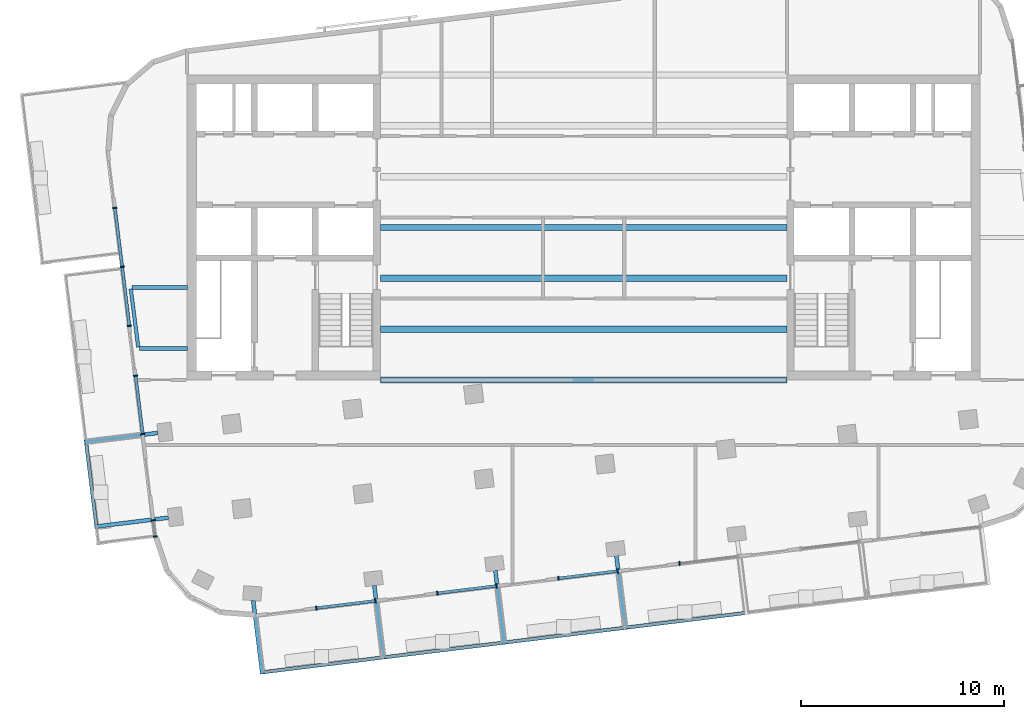
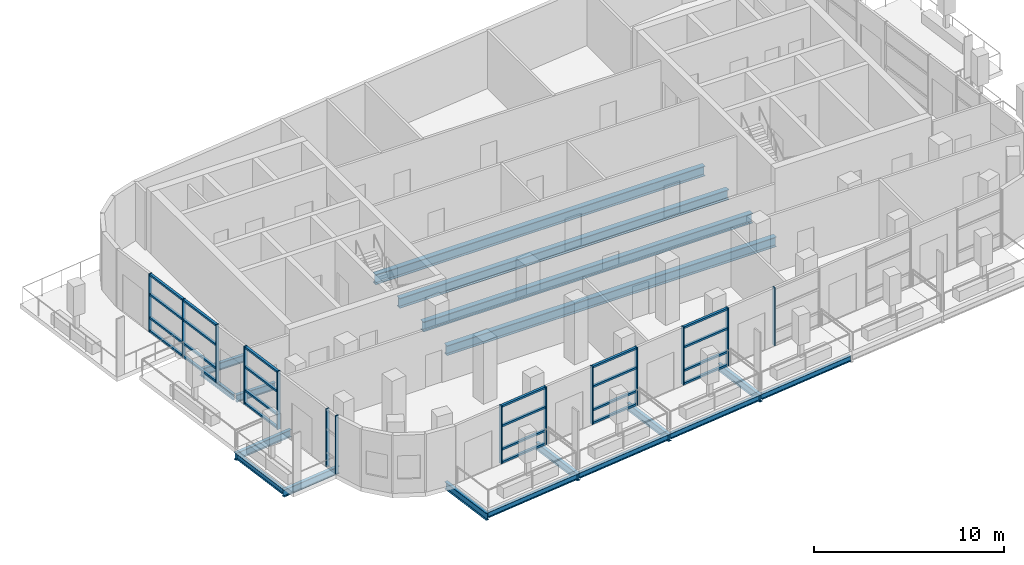
# One storey, part 2 of 13: 38 members, 18 beams, 7 elements without a shape of their own.
"""IFC4 building model written with IfcOpenShell, lengths in metres."""

import ifcopenshell
import ifcopenshell.guid

model = None  # the IFC model being written
_history = None  # IfcOwnerHistory: only IFC2X3 demands one
_inside = {}  # id of a spatial element -> (the spatial element, [elements in it])
_under = {}  # id of a project, library or spatial element -> (it, [spatial elements below it])
_declared = {}  # id of a project -> (the project, [libraries it declares])
_typed = {}  # id of a type object -> (the type object, [elements of that type])
_made_of = {}  # id of a material, layer set ... -> (it, [elements and type objects made of it])


def new_model(schema):
    """Start an empty IFC model of exactly this schema.

    Asked for "IFC4X3", IfcOpenShell would pick the latest addendum, in which some entities
    have other attributes; the version numbers below select the first issue.
    IFC2X3 requires an IfcOwnerHistory on every rooted entity: one is made here for all.
    """
    global model, _history
    if schema == "IFC4X3":
        model = ifcopenshell.file(schema_version=(4, 3, 0, 0))
    else:
        model = ifcopenshell.file(schema=schema)
    _inside.clear()
    _under.clear()
    _declared.clear()
    _typed.clear()
    _made_of.clear()
    _history = None
    if model.schema == "IFC2X3":
        org = make("IfcOrganization", Name="unknown")
        user = make(
            "IfcPersonAndOrganization",
            ThePerson=make("IfcPerson", FamilyName="unknown"),
            TheOrganization=org,
        )
        app = make(
            "IfcApplication",
            ApplicationDeveloper=org,
            Version="unknown",
            ApplicationFullName="unknown",
            ApplicationIdentifier="unknown",
        )
        _history = make(
            "IfcOwnerHistory",
            OwningUser=user,
            OwningApplication=app,
            ChangeAction="ADDED",
            CreationDate=0,
        )
    return model


def make(cls, **values):
    """One entity of the class cls with the attributes given. An attribute that is None is left unset."""
    return model.create_entity(
        cls, **{name: value for name, value in values.items() if value is not None}
    )


def rooted(cls, **values):
    """An entity with a GlobalId (a new one), such as an element, a storey or a relation."""
    return make(cls, GlobalId=ifcopenshell.guid.new(), OwnerHistory=_history, **values)


def si_unit(unit_type, name, prefix=None):
    """IfcSIUnit, for example si_unit("LENGTHUNIT", "METRE", prefix="MILLI")."""
    return make("IfcSIUnit", UnitType=unit_type, Prefix=prefix, Name=name)


def assignment(units):
    """IfcUnitAssignment: the units of a project."""
    return None if units is None else make("IfcUnitAssignment", Units=units)


def point(xyz):
    """IfcCartesianPoint."""
    return None if xyz is None else make("IfcCartesianPoint", Coordinates=xyz)


def direction(xyz):
    """IfcDirection."""
    return None if xyz is None else make("IfcDirection", DirectionRatios=xyz)


def frame(location, z_axis=None, x_axis=None):
    """IfcAxis2Placement3D, a coordinate frame: its origin and axes. An axis left out is left unset."""
    return make(
        "IfcAxis2Placement3D",
        Location=point(location),
        Axis=direction(z_axis),
        RefDirection=direction(x_axis),
    )


def frame_2d(location, x_axis=None):
    """IfcAxis2Placement2D, a coordinate frame in the plane: its origin and x axis."""
    return make(
        "IfcAxis2Placement2D", Location=point(location), RefDirection=direction(x_axis)
    )


def origin():
    """The frame at (0, 0, 0) with its axes left unset."""
    return frame((0.0, 0.0, 0.0))


def origin_2d():
    """The frame at (0, 0) in the plane with its x axis left unset."""
    return frame_2d((0.0, 0.0))


def place(relative_to, where):
    """IfcLocalPlacement: puts the frame where relative to a parent placement (None: the world)."""
    return make(
        "IfcLocalPlacement", PlacementRelTo=relative_to, RelativePlacement=where
    )


def context(
    kind, dimensions, precision=None, world=None, true_north=None, identifier=None
):
    """IfcGeometricRepresentationContext, for example the 3D "Model" context."""
    return make(
        "IfcGeometricRepresentationContext",
        ContextIdentifier=identifier,
        ContextType=kind,
        CoordinateSpaceDimension=dimensions,
        Precision=precision,
        WorldCoordinateSystem=world,
        TrueNorth=true_north,
    )


def subcontext(parent, identifier, kind, view, scale=None):
    """IfcGeometricRepresentationSubContext, for example "Body" below "Model"."""
    return make(
        "IfcGeometricRepresentationSubContext",
        ContextIdentifier=identifier,
        ContextType=kind,
        ParentContext=parent,
        TargetScale=scale,
        TargetView=view,
    )


def project(units=None, contexts=None):
    """IfcProject with its units and contexts."""
    return rooted(
        "IfcProject",
        Name="project",
        RepresentationContexts=contexts,
        UnitsInContext=assignment(units),
    )


def spatial(cls, under=None, at=None, **own):
    """A site, building, storey or space (cls), placed at a placement, below another one or the project."""
    s = rooted(cls, ObjectPlacement=at, **own)
    if under is not None:
        _under.setdefault(under.id(), (under, []))[1].append(s)
    return s


def profile(cls, at=None, kind="AREA", **sizes):
    """A parametric profile (cls). Its sizes go by their IFC names, for example OverallWidth=200.0."""
    return make(cls, ProfileType=kind, Position=at, **sizes)


def rectangle(**sizes):
    """IfcRectangleProfileDef."""
    return profile("IfcRectangleProfileDef", **sizes)


def i_section(**sizes):
    """IfcIShapeProfileDef."""
    return profile("IfcIShapeProfileDef", **sizes)


def extrude(swept, where, along, depth):
    """IfcExtrudedAreaSolid: the profile swept, set in the frame where, extruded along a direction by depth."""
    return make(
        "IfcExtrudedAreaSolid",
        SweptArea=swept,
        Position=where,
        ExtrudedDirection=direction(along),
        Depth=depth,
    )


def shape(context_of_items, identifier, shape_type, items):
    """IfcShapeRepresentation: the items that make up one representation, for example the "Body"."""
    return make(
        "IfcShapeRepresentation",
        ContextOfItems=context_of_items,
        RepresentationIdentifier=identifier,
        RepresentationType=shape_type,
        Items=items,
    )


def material(Name=None, Category=None):
    """IfcMaterial."""
    return make("IfcMaterial", Name=Name, Category=Category)


def layer(
    of_material, thickness, ventilated=None, Name=None, Category=None, Priority=None
):
    """IfcMaterialLayer: one layer of a wall or slab, of a material (None: an air gap)."""
    return make(
        "IfcMaterialLayer",
        Material=of_material,
        LayerThickness=thickness,
        IsVentilated=ventilated,
        Name=Name,
        Category=Category,
        Priority=Priority,
    )


def layer_set(layers, Name=None):
    """IfcMaterialLayerSet."""
    return make("IfcMaterialLayerSet", MaterialLayers=layers, LayerSetName=Name)


def material_profile(
    of_material, cross_section, Name=None, Category=None, Priority=None
):
    """IfcMaterialProfile: a cross section and its material."""
    return make(
        "IfcMaterialProfile",
        Name=Name,
        Material=of_material,
        Profile=cross_section,
        Priority=Priority,
        Category=Category,
    )


def profile_set(profiles, Name=None, composite=None):
    """IfcMaterialProfileSet."""
    return make(
        "IfcMaterialProfileSet",
        Name=Name,
        MaterialProfiles=profiles,
        CompositeProfile=composite,
    )


def made_of(thing, what):
    """Note that an element or type object is made of a material, layer set ...; save() writes the relation."""
    if what is not None:
        _made_of.setdefault(what.id(), (what, []))[1].append(thing)
    return thing


def type_object(cls, material=None, **own):
    """A type object (cls), such as IfcWallType, which elements share."""
    return made_of(rooted(cls, **own), material)


def element(
    cls,
    number,
    at=None,
    inside=None,
    cuts=None,
    type_object=None,
    material=None,
    context=None,
    identifier="Body",
    shape_type=None,
    held_by="IfcProductDefinitionShape",
    body=None,
    shapes=None,
    **own,
):
    """One element of the class cls, such as IfcWall. Its Tag is "e" and its number.

    at: its placement. inside: the storey or other place that contains it. cuts: it is an
    opening in that element (IfcRelVoidsElement). A single representation is given by context,
    identifier, shape_type and body (its items); several are given by shapes. held_by: the class
    of the entity that holds the representations. save() writes the other relations.
    """
    e = rooted(cls, Tag="e%d" % number, ObjectPlacement=at, **own)
    if body is not None:
        shapes = [shape(context, identifier, shape_type, body)]
    if shapes is not None:
        e.Representation = make(held_by, Representations=shapes)
    if inside is not None:
        _inside.setdefault(inside.id(), (inside, []))[1].append(e)
    if cuts is not None:
        rooted(
            "IfcRelVoidsElement", RelatingBuildingElement=cuts, RelatedOpeningElement=e
        )
    if type_object is not None:
        _typed.setdefault(type_object.id(), (type_object, []))[1].append(e)
    return made_of(e, material)


def aggregate(whole, parts):
    """IfcRelAggregates: a whole, such as a stair, and the parts it consists of."""
    return rooted("IfcRelAggregates", RelatingObject=whole, RelatedObjects=parts)


def save(model, path):
    """Write the relations noted so far, then the file.

    IfcRelAggregates (storeys below a building ...), IfcRelContainedInSpatialStructure (elements
    in a storey), IfcRelDefinesByType, IfcRelAssociatesMaterial and IfcRelDeclares: one each for
    every whole, place, type object, material and project.
    """
    for whole, parts in _under.values():
        aggregate(whole, parts)
    for where, things in _inside.values():
        rooted(
            "IfcRelContainedInSpatialStructure",
            RelatedElements=things,
            RelatingStructure=where,
        )
    for kind, things in _typed.values():
        rooted("IfcRelDefinesByType", RelatedObjects=things, RelatingType=kind)
    for what, things in _made_of.values():
        rooted("IfcRelAssociatesMaterial", RelatedObjects=things, RelatingMaterial=what)
    for by, libraries in _declared.values():
        rooted("IfcRelDeclares", RelatingContext=by, RelatedDefinitions=libraries)
    model.write(path)


model = new_model("IFC4")

# Units and contexts
model_context = context("Model", 3, precision=1e-05, world=origin(), true_north=direction((0.0, 1.0)))
body_context = subcontext(model_context, "Body", "Model", "MODEL_VIEW")
ifc_project = project(units=[si_unit("LENGTHUNIT", "METRE"), si_unit("AREAUNIT", "SQUARE_METRE"), si_unit("VOLUMEUNIT", "CUBIC_METRE"), si_unit("PLANEANGLEUNIT", "RADIAN"), si_unit("MASSUNIT", "GRAM", prefix="KILO")], contexts=[model_context])

# Site, building, storey
site_placement = place(None, origin())
site = spatial("IfcSite", under=ifc_project, at=site_placement, CompositionType="ELEMENT")
building_placement = place(site_placement, origin())
building = spatial("IfcBuilding", under=site, at=building_placement, Name="Torana Hotel and Residences", CompositionType="ELEMENT")
storey_placement = place(building_placement, frame((0.0, 0.0, 342.60009765625)))
storey = spatial("IfcBuildingStorey", under=building, at=storey_placement, Name="L90", CompositionType="ELEMENT", Elevation=342.60009765625)

# Beams
ifc_material_1 = material(Name="Steel S355", Category="steel")
ifc_material_profile_1 = material_profile(ifc_material_1, i_section(OverallWidth=0.19287109375, OverallDepth=0.46728515625, WebThickness=0.011474609375, FlangeThickness=0.01953125, FilletRadius=0.01025390625, at=origin_2d()), Name="457x191x98 UB")
ifc_profile_set_1 = profile_set([ifc_material_profile_1], Name="Steel S355")
beam_type_1 = type_object("IfcBeamType", Name="BALCONY CANTILEVER BEAM 457x191x98 UB", PredefinedType="BEAM", material=ifc_profile_set_1)
beam_1_placement = place(storey_placement, frame((-16.251708984375, -25.84130859375, -0.513671875), z_axis=(0.12194557952, -0.992536788051, 0.0), x_axis=(0.992536788051, 0.12194557952, 0.0)))
element("IfcBeam", 1, at=beam_1_placement, inside=storey, type_object=beam_type_1, Name="Balcony cantilever beam", PredefinedType="BEAM", context=body_context, shape_type="SweptSolid", body=[
    extrude(i_section(OverallWidth=0.19287109375, OverallDepth=0.46728515625, WebThickness=0.011474609375, FlangeThickness=0.01953125, FilletRadius=0.01025390625, at=origin_2d()), origin(), (0.0, 0.0, 1.0), 3.65380859375),
])
beam_2_placement = place(storey_placement, frame((-10.296630859375, -25.103515625, -0.513671875), z_axis=(0.121727603609, -0.992563544827, 0.0), x_axis=(0.992563544827, 0.121727603609, 0.0)))
element("IfcBeam", 2, at=beam_2_placement, inside=storey, type_object=beam_type_1, Name="Balcony cantilever beam", PredefinedType="BEAM", context=body_context, shape_type="SweptSolid", body=[
    extrude(i_section(OverallWidth=0.19287109375, OverallDepth=0.46728515625, WebThickness=0.011474609375, FlangeThickness=0.01953125, FilletRadius=0.01025390625, at=origin_2d()), origin(), (0.0, 0.0, 1.0), 3.66015625),
])
beam_3_placement = place(storey_placement, frame((-4.341552734375, -24.37255859375, -0.513671875), z_axis=(0.121809442808, -0.992553504675, 0.0), x_axis=(0.992553504675, 0.121809442808, 0.0)))
element("IfcBeam", 3, at=beam_3_placement, inside=storey, type_object=beam_type_1, Name="Balcony cantilever beam", PredefinedType="BEAM", context=body_context, shape_type="SweptSolid", body=[
    extrude(i_section(OverallWidth=0.19287109375, OverallDepth=0.46728515625, WebThickness=0.011474609375, FlangeThickness=0.01953125, FilletRadius=0.01025390625, at=origin_2d()), origin(), (0.0, 0.0, 1.0), 3.659912109375),
])
beam_4_placement = place(storey_placement, frame((1.61328125, -23.6416015625, -0.513671875), z_axis=(0.121948950891, -0.99253637383, 0.0), x_axis=(0.99253637383, 0.121948950891, 0.0)))
element("IfcBeam", 4, at=beam_4_placement, inside=storey, type_object=beam_type_1, Name="Balcony cantilever beam", PredefinedType="BEAM", context=body_context, shape_type="SweptSolid", body=[
    extrude(i_section(OverallWidth=0.19287109375, OverallDepth=0.46728515625, WebThickness=0.011474609375, FlangeThickness=0.01953125, FilletRadius=0.01025390625, at=origin_2d()), origin(), (0.0, 0.0, 1.0), 3.65966796875),
])
for number, where, z_axis, x_axis, name in (
    (5, (-20.930419921875, -17.603515625, -0.513671875), (-0.992537365838, -0.121940876722, 0.0), (0.121940876722, -0.992537365838, 0.0), "Balcony cantilever beam"),
    (6, (-20.41845703125, -21.7724609375, -0.513671875), (-0.992545437366, -0.121875160566, 0.0), (0.121875160566, -0.992545437366, 0.0), "Balcony cantilever beam"),
):
    element("IfcBeam", number, at=place(storey_placement, frame(where, z_axis=z_axis, x_axis=x_axis)), inside=storey, type_object=beam_type_1, Name=name, PredefinedType="BEAM", context=body_context, shape_type="SweptSolid", body=[
        extrude(i_section(OverallWidth=0.19287109375, OverallDepth=0.46728515625, WebThickness=0.011474609375, FlangeThickness=0.01953125, FilletRadius=0.01025390625, at=origin_2d()), origin(), (0.0, 0.0, 1.0), 3.659912109375),
    ])
beam_5_placement = place(storey_placement, frame((-19.489990234375, -13.449951171875, -0.513671875), z_axis=(-1.0, 0.0, 0.0), x_axis=(0.0, -1.0, 0.0)))
element("IfcBeam", 7, at=beam_5_placement, inside=storey, type_object=beam_type_1, Name="Balcony cantilever beam", PredefinedType="BEAM", context=body_context, shape_type="SweptSolid", body=[
    extrude(i_section(OverallWidth=0.19287109375, OverallDepth=0.46728515625, WebThickness=0.011474609375, FlangeThickness=0.01953125, FilletRadius=0.01025390625, at=origin_2d()), origin(), (0.0, 0.0, 1.0), 2.360107421875),
])
beam_6_placement = place(storey_placement, frame((-19.489990234375, -10.449951171875, -0.513671875), z_axis=(-1.0, 0.0, 0.0), x_axis=(0.0, -1.0, 0.0)))
element("IfcBeam", 8, at=beam_6_placement, inside=storey, type_object=beam_type_1, Name="Balcony cantilever beam", PredefinedType="BEAM", context=body_context, shape_type="SweptSolid", body=[
    extrude(i_section(OverallWidth=0.19287109375, OverallDepth=0.46728515625, WebThickness=0.011474609375, FlangeThickness=0.01953125, FilletRadius=0.01025390625, at=origin_2d()), origin(), (0.0, 0.0, 1.0), 2.728515625),
])
ifc_material_2 = material(Name="Steel S355", Category="steel")
ifc_material_profile_2 = material_profile(ifc_material_2, i_section(OverallWidth=0.173095703125, OverallDepth=0.36328125, WebThickness=0.009033203125, FlangeThickness=0.015625, FilletRadius=0.01025390625, at=origin_2d()), Name="356x171x67 UB")
ifc_profile_set_2 = profile_set([ifc_material_profile_2], Name="Steel S355")
beam_type_2 = type_object("IfcBeamType", Name="BALCONY TIP BEAM 356x171x67 UB", PredefinedType="BEAM", material=ifc_profile_set_2)
for number, where, z_axis, x_axis, name in (
    (9, (-9.927490234375, -28.65869140625, -0.4619140625), (-0.992545044936, -0.121878356459, 0.0), (0.121878356459, -0.992545044936, 0.0), "Balcony tip beam"),
    (10, (-3.97216796875, -27.92724609375, -0.4619140625), (-0.992540010453, -0.121919348955, 0.0), (0.121919348955, -0.992540010453, 0.0), "Balcony tip beam"),
    (11, (1.983154296875, -27.196044921875, -0.4619140625), (-0.992545044936, -0.121878356459, 0.0), (0.121878356459, -0.992545044936, 0.0), "Balcony tip beam"),
    (12, (7.9384765625, -26.46484375, -0.4619140625), (-0.992545044936, -0.121878356459, 0.0), (0.121878356459, -0.992545044936, 0.0), "Balcony tip beam"),
):
    element("IfcBeam", number, at=place(storey_placement, frame(where, z_axis=z_axis, x_axis=x_axis)), inside=storey, type_object=beam_type_2, Name=name, PredefinedType="BEAM", context=body_context, shape_type="SweptSolid", body=[
        extrude(i_section(OverallWidth=0.173095703125, OverallDepth=0.36328125, WebThickness=0.009033203125, FlangeThickness=0.015625, FilletRadius=0.01025390625, at=origin_2d()), origin(), (0.0, 0.0, 1.0), 5.8671875),
    ])
beam_7_placement = place(storey_placement, frame((-23.97314453125, -22.14208984375, -0.4619140625), z_axis=(-0.121906862374, 0.992541544171, 0.0), x_axis=(-0.992541544171, -0.121906862374, 0.0)))
element("IfcBeam", 13, at=beam_7_placement, inside=storey, type_object=beam_type_2, Name="Balcony tip beam", PredefinedType="BEAM", context=body_context, shape_type="SweptSolid", body=[
    extrude(i_section(OverallWidth=0.173095703125, OverallDepth=0.36328125, WebThickness=0.009033203125, FlangeThickness=0.015625, FilletRadius=0.01025390625, at=origin_2d()), origin(), (0.0, 0.0, 1.0), 4.0673828125),
])
beam_8_placement = place(storey_placement, frame((-21.90673828125, -13.383544921875, -0.4619140625), z_axis=(-0.127443407553, 0.991845843804, 0.0), x_axis=(-0.991845843804, -0.127443407553, 0.0)))
element("IfcBeam", 14, at=beam_8_placement, inside=storey, type_object=beam_type_2, Name="Balcony tip beam", PredefinedType="BEAM", context=body_context, shape_type="SweptSolid", body=[
    extrude(i_section(OverallWidth=0.173095703125, OverallDepth=0.36328125, WebThickness=0.009033203125, FlangeThickness=0.015625, FilletRadius=0.01025390625, at=origin_2d()), origin(), (0.0, 0.0, 1.0), 2.890869140625),
])

# Curtain wall, members
ifc_material_3 = material(Name="Dark anodised aluminium", Category="aluminium")
ifc_layer = layer(ifc_material_3, 0.199951171875)
ifc_layer_set = layer_set([ifc_layer], Name="CW3 SKY CLUB UNITISED CURTAIN WALL")
curtain_wall_type = type_object("IfcCurtainWallType", Name="CW3 SKY CLUB UNITISED CURTAIN WALL", PredefinedType="NOTDEFINED", material=ifc_layer_set)
curtain_wall_1_placement = place(storey_placement, origin())
curtain_wall_1 = element("IfcCurtainWall", 15, at=curtain_wall_1_placement, inside=storey, type_object=curtain_wall_type, Name="Curtain wall CW3 L90 e0.9-2", PredefinedType="NOTDEFINED")
ifc_material_4 = material(Name="Dark anodised aluminium", Category="aluminium")
ifc_material_profile_3 = material_profile(ifc_material_4, rectangle(XDim=0.199951171875, YDim=0.070068359375, at=origin_2d()), Name="CW3 MULLION 70x200")
ifc_profile_set_3 = profile_set([ifc_material_profile_3], Name="Dark anodised aluminium")
member_type_1 = type_object("IfcMemberType", Name="CW3 MULLION 70x200", PredefinedType="MULLION", material=ifc_profile_set_3)
member_1_placement = place(storey_placement, frame((-23.054931640625, -6.53515625, 0.0), z_axis=(0.0, 0.0, 1.0), x_axis=(0.992545392029, 0.121875529794, 0.0)))
member_1 = element("IfcMember", 16, at=member_1_placement, type_object=member_type_1, Name="CW3 mullion 1", PredefinedType="MULLION", context=body_context, shape_type="SweptSolid", body=[
    extrude(rectangle(XDim=0.199951171875, YDim=0.070068359375, at=origin_2d()), origin(), (0.0, 0.0, 1.0), 3.719970703125),
])
member_2_placement = place(storey_placement, frame((-22.69873046875, -9.43701171875, 0.0), z_axis=(0.0, 0.0, 1.0), x_axis=(0.992545392029, 0.121875529794, 0.0)))
member_2 = element("IfcMember", 17, at=member_2_placement, type_object=member_type_1, Name="CW3 mullion 2", PredefinedType="MULLION", context=body_context, shape_type="SweptSolid", body=[
    extrude(rectangle(XDim=0.199951171875, YDim=0.070068359375, at=origin_2d()), origin(), (0.0, 0.0, 1.0), 3.719970703125),
])
member_3_placement = place(storey_placement, frame((-22.34228515625, -12.339111328125, 0.0), z_axis=(0.0, 0.0, 1.0), x_axis=(0.992545392029, 0.121875529794, 0.0)))
member_3 = element("IfcMember", 18, at=member_3_placement, type_object=member_type_1, Name="CW3 mullion 3", PredefinedType="MULLION", context=body_context, shape_type="SweptSolid", body=[
    extrude(rectangle(XDim=0.199951171875, YDim=0.070068359375, at=origin_2d()), origin(), (0.0, 0.0, 1.0), 3.719970703125),
])

curtain_wall_2_placement = place(storey_placement, origin())
curtain_wall_2 = element("IfcCurtainWall", 19, at=curtain_wall_2_placement, inside=storey, type_object=curtain_wall_type, Name="Curtain wall CW3 L90 e0.9-4", PredefinedType="NOTDEFINED")
member_4_placement = place(storey_placement, frame((-22.041259765625, -14.79052734375, 0.0), z_axis=(0.0, 0.0, 1.0), x_axis=(0.992547610171, 0.121857464048, 0.0)))
member_4 = element("IfcMember", 20, at=member_4_placement, type_object=member_type_1, Name="CW3 mullion 1", PredefinedType="MULLION", context=body_context, shape_type="SweptSolid", body=[
    extrude(rectangle(XDim=0.199951171875, YDim=0.070068359375, at=origin_2d()), origin(), (0.0, 0.0, 1.0), 3.719970703125),
])
member_5_placement = place(storey_placement, frame((-21.68896484375, -17.66162109375, 0.0), z_axis=(0.0, 0.0, 1.0), x_axis=(0.992547610171, 0.121857464048, 0.0)))
member_5 = element("IfcMember", 21, at=member_5_placement, type_object=member_type_1, Name="CW3 mullion 2", PredefinedType="MULLION", context=body_context, shape_type="SweptSolid", body=[
    extrude(rectangle(XDim=0.199951171875, YDim=0.070068359375, at=origin_2d()), origin(), (0.0, 0.0, 1.0), 3.719970703125),
])

curtain_wall_3_placement = place(storey_placement, origin())
curtain_wall_3 = element("IfcCurtainWall", 22, at=curtain_wall_3_placement, inside=storey, type_object=curtain_wall_type, Name="Curtain wall CW3 L90 e0.9-6", PredefinedType="NOTDEFINED")
member_6_placement = place(storey_placement, frame((-21.16845703125, -21.899658203125, 0.0), z_axis=(0.0, 0.0, 1.0), x_axis=(0.992544425058, 0.121883404477, 0.0)))
member_6 = element("IfcMember", 23, at=member_6_placement, type_object=member_type_1, Name="CW3 mullion 1", PredefinedType="MULLION", context=body_context, shape_type="SweptSolid", body=[
    extrude(rectangle(XDim=0.199951171875, YDim=0.070068359375, at=origin_2d()), origin(), (0.0, 0.0, 1.0), 3.719970703125),
])
member_7_placement = place(storey_placement, frame((-21.0703125, -22.69921875, 0.0), z_axis=(0.0, 0.0, 1.0), x_axis=(0.992544425058, 0.121883404477, 0.0)))
member_7 = element("IfcMember", 24, at=member_7_placement, type_object=member_type_1, Name="CW3 mullion 2", PredefinedType="MULLION", context=body_context, shape_type="SweptSolid", body=[
    extrude(rectangle(XDim=0.199951171875, YDim=0.070068359375, at=origin_2d()), origin(), (0.0, 0.0, 1.0), 3.719970703125),
])
aggregate(curtain_wall_3, [member_6, member_7])

curtain_wall_4_placement = place(storey_placement, origin())
curtain_wall_4 = element("IfcCurtainWall", 25, at=curtain_wall_4_placement, inside=storey, type_object=curtain_wall_type, Name="Curtain wall CW3 L90 e0.14-2", PredefinedType="NOTDEFINED")
member_8_placement = place(storey_placement, frame((-13.147216796875, -26.21923828125, 0.0), z_axis=(0.0, 0.0, 1.0), x_axis=(-0.121868256929, 0.992546285043, 0.0)))
member_8 = element("IfcMember", 26, at=member_8_placement, type_object=member_type_1, Name="CW3 mullion 1", PredefinedType="MULLION", context=body_context, shape_type="SweptSolid", body=[
    extrude(rectangle(XDim=0.199951171875, YDim=0.070068359375, at=origin_2d()), origin(), (0.0, 0.0, 1.0), 3.719970703125),
])
member_9_placement = place(storey_placement, frame((-10.2392578125, -25.8623046875, 0.0), z_axis=(0.0, 0.0, 1.0), x_axis=(-0.121868256929, 0.992546285043, 0.0)))
member_9 = element("IfcMember", 27, at=member_9_placement, type_object=member_type_1, Name="CW3 mullion 2", PredefinedType="MULLION", context=body_context, shape_type="SweptSolid", body=[
    extrude(rectangle(XDim=0.199951171875, YDim=0.070068359375, at=origin_2d()), origin(), (0.0, 0.0, 1.0), 3.719970703125),
])

curtain_wall_5_placement = place(storey_placement, origin())
curtain_wall_5 = element("IfcCurtainWall", 28, at=curtain_wall_5_placement, inside=storey, type_object=curtain_wall_type, Name="Curtain wall CW3 L90 e0.14-4", PredefinedType="NOTDEFINED")
member_10_placement = place(storey_placement, frame((-7.192138671875, -25.488037109375, 0.0), z_axis=(0.0, 0.0, 1.0), x_axis=(-0.121864225005, 0.992546780088, 0.0)))
member_10 = element("IfcMember", 29, at=member_10_placement, type_object=member_type_1, Name="CW3 mullion 1", PredefinedType="MULLION", context=body_context, shape_type="SweptSolid", body=[
    extrude(rectangle(XDim=0.199951171875, YDim=0.070068359375, at=origin_2d()), origin(), (0.0, 0.0, 1.0), 3.719970703125),
])
member_11_placement = place(storey_placement, frame((-4.283935546875, -25.131103515625, 0.0), z_axis=(0.0, 0.0, 1.0), x_axis=(-0.121864225005, 0.992546780088, 0.0)))
member_11 = element("IfcMember", 30, at=member_11_placement, type_object=member_type_1, Name="CW3 mullion 2", PredefinedType="MULLION", context=body_context, shape_type="SweptSolid", body=[
    extrude(rectangle(XDim=0.199951171875, YDim=0.070068359375, at=origin_2d()), origin(), (0.0, 0.0, 1.0), 3.719970703125),
])

curtain_wall_6_placement = place(storey_placement, origin())
curtain_wall_6 = element("IfcCurtainWall", 31, at=curtain_wall_6_placement, inside=storey, type_object=curtain_wall_type, Name="Curtain wall CW3 L90 e0.14-6", PredefinedType="NOTDEFINED")
member_12_placement = place(storey_placement, frame((-1.23681640625, -24.7568359375, 0.0), z_axis=(0.0, 0.0, 1.0), x_axis=(-0.121864225005, 0.992546780088, 0.0)))
member_12 = element("IfcMember", 32, at=member_12_placement, type_object=member_type_1, Name="CW3 mullion 1", PredefinedType="MULLION", context=body_context, shape_type="SweptSolid", body=[
    extrude(rectangle(XDim=0.199951171875, YDim=0.070068359375, at=origin_2d()), origin(), (0.0, 0.0, 1.0), 3.719970703125),
])
member_13_placement = place(storey_placement, frame((1.67138671875, -24.39990234375, 0.0), z_axis=(0.0, 0.0, 1.0), x_axis=(-0.121864225005, 0.992546780088, 0.0)))
member_13 = element("IfcMember", 33, at=member_13_placement, type_object=member_type_1, Name="CW3 mullion 2", PredefinedType="MULLION", context=body_context, shape_type="SweptSolid", body=[
    extrude(rectangle(XDim=0.199951171875, YDim=0.070068359375, at=origin_2d()), origin(), (0.0, 0.0, 1.0), 3.719970703125),
])

# Curtain wall, member
curtain_wall_7_placement = place(storey_placement, origin())
curtain_wall_7 = element("IfcCurtainWall", 34, at=curtain_wall_7_placement, inside=storey, type_object=curtain_wall_type, Name="Curtain wall CW3 L90 e0.14-8", PredefinedType="NOTDEFINED")
member_14_placement = place(storey_placement, frame((4.718505859375, -24.025634765625, 0.0), z_axis=(0.0, 0.0, 1.0), x_axis=(-0.121868256929, 0.992546285043, 0.0)))
member_14 = element("IfcMember", 35, at=member_14_placement, type_object=member_type_1, Name="CW3 mullion 1", PredefinedType="MULLION", context=body_context, shape_type="SweptSolid", body=[
    extrude(rectangle(XDim=0.199951171875, YDim=0.070068359375, at=origin_2d()), origin(), (0.0, 0.0, 1.0), 3.719970703125),
])
aggregate(curtain_wall_7, [member_14])

# Member
ifc_material_5 = material(Name="Dark anodised aluminium", Category="aluminium")
ifc_material_profile_4 = material_profile(ifc_material_5, rectangle(XDim=0.14990234375, YDim=0.1201171875, at=origin_2d()), Name="CW3 TRANSOM 150x120")
ifc_profile_set_4 = profile_set([ifc_material_profile_4], Name="Dark anodised aluminium")
member_type_2 = type_object("IfcMemberType", Name="CW3 TRANSOM 150x120", PredefinedType="USERDEFINED", material=ifc_profile_set_4)
member_15_placement = place(storey_placement, frame((-23.05078125, -6.56982421875, 0.059814453125), z_axis=(0.121907565708, -0.992541457786, 0.0), x_axis=(0.992541457786, 0.121907565708, 0.0)))
member_15 = element("IfcMember", 36, at=member_15_placement, type_object=member_type_2, Name="CW3 transom 1.1", ObjectType="TRANSOM", PredefinedType="USERDEFINED", context=body_context, shape_type="SweptSolid", body=[
    extrude(rectangle(XDim=0.14990234375, YDim=0.1201171875, at=origin_2d()), origin(), (0.0, 0.0, 1.0), 2.853759765625),
])

member_16_placement = place(storey_placement, frame((-23.05078125, -6.56982421875, 0.89990234375), z_axis=(0.121907565708, -0.992541457786, 0.0), x_axis=(0.992541457786, 0.121907565708, 0.0)))
member_16 = element("IfcMember", 37, at=member_16_placement, type_object=member_type_2, Name="CW3 transom 1.2", ObjectType="TRANSOM", PredefinedType="USERDEFINED", context=body_context, shape_type="SweptSolid", body=[
    extrude(rectangle(XDim=0.14990234375, YDim=0.1201171875, at=origin_2d()), origin(), (0.0, 0.0, 1.0), 2.853759765625),
])

member_17_placement = place(storey_placement, frame((-23.05078125, -6.56982421875, 2.39990234375), z_axis=(0.121907565708, -0.992541457786, 0.0), x_axis=(0.992541457786, 0.121907565708, 0.0)))
member_17 = element("IfcMember", 38, at=member_17_placement, type_object=member_type_2, Name="CW3 transom 1.3", ObjectType="TRANSOM", PredefinedType="USERDEFINED", context=body_context, shape_type="SweptSolid", body=[
    extrude(rectangle(XDim=0.14990234375, YDim=0.1201171875, at=origin_2d()), origin(), (0.0, 0.0, 1.0), 2.853759765625),
])

member_18_placement = place(storey_placement, frame((-23.05078125, -6.56982421875, 3.659912109375), z_axis=(0.121907565708, -0.992541457786, 0.0), x_axis=(0.992541457786, 0.121907565708, 0.0)))
member_18 = element("IfcMember", 39, at=member_18_placement, type_object=member_type_2, Name="CW3 transom 1.4", ObjectType="TRANSOM", PredefinedType="USERDEFINED", context=body_context, shape_type="SweptSolid", body=[
    extrude(rectangle(XDim=0.14990234375, YDim=0.1201171875, at=origin_2d()), origin(), (0.0, 0.0, 1.0), 2.853759765625),
])

member_19_placement = place(storey_placement, frame((-22.6943359375, -9.471923828125, 0.059814453125), z_axis=(0.121823286606, -0.99255180562, 0.0), x_axis=(0.99255180562, 0.121823286606, 0.0)))
member_19 = element("IfcMember", 40, at=member_19_placement, type_object=member_type_2, Name="CW3 transom 2.1", ObjectType="TRANSOM", PredefinedType="USERDEFINED", context=body_context, shape_type="SweptSolid", body=[
    extrude(rectangle(XDim=0.14990234375, YDim=0.1201171875, at=origin_2d()), origin(), (0.0, 0.0, 1.0), 2.853759765625),
])

member_20_placement = place(storey_placement, frame((-22.6943359375, -9.471923828125, 0.89990234375), z_axis=(0.121823286606, -0.99255180562, 0.0), x_axis=(0.99255180562, 0.121823286606, 0.0)))
member_20 = element("IfcMember", 41, at=member_20_placement, type_object=member_type_2, Name="CW3 transom 2.2", ObjectType="TRANSOM", PredefinedType="USERDEFINED", context=body_context, shape_type="SweptSolid", body=[
    extrude(rectangle(XDim=0.14990234375, YDim=0.1201171875, at=origin_2d()), origin(), (0.0, 0.0, 1.0), 2.853759765625),
])

member_21_placement = place(storey_placement, frame((-22.6943359375, -9.471923828125, 2.39990234375), z_axis=(0.121823286606, -0.99255180562, 0.0), x_axis=(0.99255180562, 0.121823286606, 0.0)))
member_21 = element("IfcMember", 42, at=member_21_placement, type_object=member_type_2, Name="CW3 transom 2.3", ObjectType="TRANSOM", PredefinedType="USERDEFINED", context=body_context, shape_type="SweptSolid", body=[
    extrude(rectangle(XDim=0.14990234375, YDim=0.1201171875, at=origin_2d()), origin(), (0.0, 0.0, 1.0), 2.853759765625),
])

member_22_placement = place(storey_placement, frame((-22.6943359375, -9.471923828125, 3.659912109375), z_axis=(0.121823286606, -0.99255180562, 0.0), x_axis=(0.99255180562, 0.121823286606, 0.0)))
member_22 = element("IfcMember", 43, at=member_22_placement, type_object=member_type_2, Name="CW3 transom 2.4", ObjectType="TRANSOM", PredefinedType="USERDEFINED", context=body_context, shape_type="SweptSolid", body=[
    extrude(rectangle(XDim=0.14990234375, YDim=0.1201171875, at=origin_2d()), origin(), (0.0, 0.0, 1.0), 2.853759765625),
])

aggregate(curtain_wall_1, [member_1, member_2, member_3, member_15, member_16, member_17, member_18, member_19, member_20, member_21, member_22])

member_23_placement = place(storey_placement, frame((-22.037109375, -14.825439453125, 0.059814453125), z_axis=(0.12188382621, -0.992544373269, 0.0), x_axis=(0.992544373269, 0.12188382621, 0.0)))
member_23 = element("IfcMember", 44, at=member_23_placement, type_object=member_type_2, Name="CW3 transom 1.1", ObjectType="TRANSOM", PredefinedType="USERDEFINED", context=body_context, shape_type="SweptSolid", body=[
    extrude(rectangle(XDim=0.14990234375, YDim=0.1201171875, at=origin_2d()), origin(), (0.0, 0.0, 1.0), 2.822265625),
])

member_24_placement = place(storey_placement, frame((-22.037109375, -14.825439453125, 0.89990234375), z_axis=(0.12188382621, -0.992544373269, 0.0), x_axis=(0.992544373269, 0.12188382621, 0.0)))
member_24 = element("IfcMember", 45, at=member_24_placement, type_object=member_type_2, Name="CW3 transom 1.2", ObjectType="TRANSOM", PredefinedType="USERDEFINED", context=body_context, shape_type="SweptSolid", body=[
    extrude(rectangle(XDim=0.14990234375, YDim=0.1201171875, at=origin_2d()), origin(), (0.0, 0.0, 1.0), 2.822265625),
])

member_25_placement = place(storey_placement, frame((-22.037109375, -14.825439453125, 2.39990234375), z_axis=(0.12188382621, -0.992544373269, 0.0), x_axis=(0.992544373269, 0.12188382621, 0.0)))
member_25 = element("IfcMember", 46, at=member_25_placement, type_object=member_type_2, Name="CW3 transom 1.3", ObjectType="TRANSOM", PredefinedType="USERDEFINED", context=body_context, shape_type="SweptSolid", body=[
    extrude(rectangle(XDim=0.14990234375, YDim=0.1201171875, at=origin_2d()), origin(), (0.0, 0.0, 1.0), 2.822265625),
])

member_26_placement = place(storey_placement, frame((-22.037109375, -14.825439453125, 3.659912109375), z_axis=(0.12188382621, -0.992544373269, 0.0), x_axis=(0.992544373269, 0.12188382621, 0.0)))
member_26 = element("IfcMember", 47, at=member_26_placement, type_object=member_type_2, Name="CW3 transom 1.4", ObjectType="TRANSOM", PredefinedType="USERDEFINED", context=body_context, shape_type="SweptSolid", body=[
    extrude(rectangle(XDim=0.14990234375, YDim=0.1201171875, at=origin_2d()), origin(), (0.0, 0.0, 1.0), 2.822265625),
])

aggregate(curtain_wall_2, [member_4, member_5, member_23, member_24, member_25, member_26])

member_27_placement = place(storey_placement, frame((-13.112548828125, -26.215087890625, 0.059814453125), z_axis=(0.992542186909, 0.121901629217, 0.0), x_axis=(-0.121901629217, 0.992542186909, 0.0)))
member_27 = element("IfcMember", 48, at=member_27_placement, type_object=member_type_2, Name="CW3 transom 1.1", ObjectType="TRANSOM", PredefinedType="USERDEFINED", context=body_context, shape_type="SweptSolid", body=[
    extrude(rectangle(XDim=0.14990234375, YDim=0.1201171875, at=origin_2d()), origin(), (0.0, 0.0, 1.0), 2.85986328125),
])

member_28_placement = place(storey_placement, frame((-13.112548828125, -26.215087890625, 0.89990234375), z_axis=(0.992542186909, 0.121901629217, 0.0), x_axis=(-0.121901629217, 0.992542186909, 0.0)))
member_28 = element("IfcMember", 49, at=member_28_placement, type_object=member_type_2, Name="CW3 transom 1.2", ObjectType="TRANSOM", PredefinedType="USERDEFINED", context=body_context, shape_type="SweptSolid", body=[
    extrude(rectangle(XDim=0.14990234375, YDim=0.1201171875, at=origin_2d()), origin(), (0.0, 0.0, 1.0), 2.85986328125),
])

member_29_placement = place(storey_placement, frame((-13.112548828125, -26.215087890625, 2.39990234375), z_axis=(0.992542186909, 0.121901629217, 0.0), x_axis=(-0.121901629217, 0.992542186909, 0.0)))
member_29 = element("IfcMember", 50, at=member_29_placement, type_object=member_type_2, Name="CW3 transom 1.3", ObjectType="TRANSOM", PredefinedType="USERDEFINED", context=body_context, shape_type="SweptSolid", body=[
    extrude(rectangle(XDim=0.14990234375, YDim=0.1201171875, at=origin_2d()), origin(), (0.0, 0.0, 1.0), 2.85986328125),
])

member_30_placement = place(storey_placement, frame((-13.112548828125, -26.215087890625, 3.659912109375), z_axis=(0.992542186909, 0.121901629217, 0.0), x_axis=(-0.121901629217, 0.992542186909, 0.0)))
member_30 = element("IfcMember", 51, at=member_30_placement, type_object=member_type_2, Name="CW3 transom 1.4", ObjectType="TRANSOM", PredefinedType="USERDEFINED", context=body_context, shape_type="SweptSolid", body=[
    extrude(rectangle(XDim=0.14990234375, YDim=0.1201171875, at=origin_2d()), origin(), (0.0, 0.0, 1.0), 2.85986328125),
])

aggregate(curtain_wall_4, [member_8, member_9, member_27, member_28, member_29, member_30])

member_31_placement = place(storey_placement, frame((-7.1572265625, -25.48388671875, 0.059814453125), z_axis=(0.992542186909, 0.121901629217, 0.0), x_axis=(-0.121901629217, 0.992542186909, 0.0)))
member_31 = element("IfcMember", 52, at=member_31_placement, type_object=member_type_2, Name="CW3 transom 1.1", ObjectType="TRANSOM", PredefinedType="USERDEFINED", context=body_context, shape_type="SweptSolid", body=[
    extrude(rectangle(XDim=0.14990234375, YDim=0.1201171875, at=origin_2d()), origin(), (0.0, 0.0, 1.0), 2.85986328125),
])

member_32_placement = place(storey_placement, frame((-7.1572265625, -25.48388671875, 0.89990234375), z_axis=(0.992542186909, 0.121901629217, 0.0), x_axis=(-0.121901629217, 0.992542186909, 0.0)))
member_32 = element("IfcMember", 53, at=member_32_placement, type_object=member_type_2, Name="CW3 transom 1.2", ObjectType="TRANSOM", PredefinedType="USERDEFINED", context=body_context, shape_type="SweptSolid", body=[
    extrude(rectangle(XDim=0.14990234375, YDim=0.1201171875, at=origin_2d()), origin(), (0.0, 0.0, 1.0), 2.85986328125),
])

member_33_placement = place(storey_placement, frame((-7.1572265625, -25.48388671875, 2.39990234375), z_axis=(0.992542186909, 0.121901629217, 0.0), x_axis=(-0.121901629217, 0.992542186909, 0.0)))
member_33 = element("IfcMember", 54, at=member_33_placement, type_object=member_type_2, Name="CW3 transom 1.3", ObjectType="TRANSOM", PredefinedType="USERDEFINED", context=body_context, shape_type="SweptSolid", body=[
    extrude(rectangle(XDim=0.14990234375, YDim=0.1201171875, at=origin_2d()), origin(), (0.0, 0.0, 1.0), 2.85986328125),
])

member_34_placement = place(storey_placement, frame((-7.1572265625, -25.48388671875, 3.659912109375), z_axis=(0.992542186909, 0.121901629217, 0.0), x_axis=(-0.121901629217, 0.992542186909, 0.0)))
member_34 = element("IfcMember", 55, at=member_34_placement, type_object=member_type_2, Name="CW3 transom 1.4", ObjectType="TRANSOM", PredefinedType="USERDEFINED", context=body_context, shape_type="SweptSolid", body=[
    extrude(rectangle(XDim=0.14990234375, YDim=0.1201171875, at=origin_2d()), origin(), (0.0, 0.0, 1.0), 2.85986328125),
])

aggregate(curtain_wall_5, [member_10, member_11, member_31, member_32, member_33, member_34])

member_35_placement = place(storey_placement, frame((-1.201904296875, -24.752685546875, 0.059814453125), z_axis=(0.992542186909, 0.121901629217, 0.0), x_axis=(-0.121901629217, 0.992542186909, 0.0)))
member_35 = element("IfcMember", 56, at=member_35_placement, type_object=member_type_2, Name="CW3 transom 1.1", ObjectType="TRANSOM", PredefinedType="USERDEFINED", context=body_context, shape_type="SweptSolid", body=[
    extrude(rectangle(XDim=0.14990234375, YDim=0.1201171875, at=origin_2d()), origin(), (0.0, 0.0, 1.0), 2.85986328125),
])

member_36_placement = place(storey_placement, frame((-1.201904296875, -24.752685546875, 0.89990234375), z_axis=(0.992542186909, 0.121901629217, 0.0), x_axis=(-0.121901629217, 0.992542186909, 0.0)))
member_36 = element("IfcMember", 57, at=member_36_placement, type_object=member_type_2, Name="CW3 transom 1.2", ObjectType="TRANSOM", PredefinedType="USERDEFINED", context=body_context, shape_type="SweptSolid", body=[
    extrude(rectangle(XDim=0.14990234375, YDim=0.1201171875, at=origin_2d()), origin(), (0.0, 0.0, 1.0), 2.85986328125),
])

member_37_placement = place(storey_placement, frame((-1.201904296875, -24.752685546875, 2.39990234375), z_axis=(0.992542186909, 0.121901629217, 0.0), x_axis=(-0.121901629217, 0.992542186909, 0.0)))
member_37 = element("IfcMember", 58, at=member_37_placement, type_object=member_type_2, Name="CW3 transom 1.3", ObjectType="TRANSOM", PredefinedType="USERDEFINED", context=body_context, shape_type="SweptSolid", body=[
    extrude(rectangle(XDim=0.14990234375, YDim=0.1201171875, at=origin_2d()), origin(), (0.0, 0.0, 1.0), 2.85986328125),
])

member_38_placement = place(storey_placement, frame((-1.201904296875, -24.752685546875, 3.659912109375), z_axis=(0.992542186909, 0.121901629217, 0.0), x_axis=(-0.121901629217, 0.992542186909, 0.0)))
member_38 = element("IfcMember", 59, at=member_38_placement, type_object=member_type_2, Name="CW3 transom 1.4", ObjectType="TRANSOM", PredefinedType="USERDEFINED", context=body_context, shape_type="SweptSolid", body=[
    extrude(rectangle(XDim=0.14990234375, YDim=0.1201171875, at=origin_2d()), origin(), (0.0, 0.0, 1.0), 2.85986328125),
])

aggregate(curtain_wall_6, [member_12, member_13, member_35, member_36, member_37, member_38])

# Beams
ifc_material_6 = material(Name="Steel S355", Category="steel")
ifc_material_profile_5 = material_profile(ifc_material_6, i_section(OverallWidth=0.311279296875, OverallDepth=0.6357421875, WebThickness=0.018310546875, FlangeThickness=0.031494140625, FilletRadius=0.0166015625, at=origin_2d()), Name="610x305x238 UB")
ifc_profile_set_5 = profile_set([ifc_material_profile_5], Name="Steel S355")
beam_type_3 = type_object("IfcBeamType", Name="STEEL GIRDER 610x305x238 UB", PredefinedType="BEAM", material=ifc_profile_set_5)
for number, where, z_axis, x_axis, name in (
    (60, (-10.0, -15.0, -0.597900390625), (1.0, 0.0, 0.0), (0.0, 1.0, 0.0), "Floor girder"),
    (61, (-10.0, -12.5, -0.597900390625), (1.0, 0.0, 0.0), (0.0, 1.0, 0.0), "Floor girder"),
    (62, (-10.0, -10.0, -0.597900390625), (1.0, 0.0, 0.0), (0.0, 1.0, 0.0), "Floor girder"),
    (63, (-10.0, -7.5, -0.597900390625), (1.0, 0.0, 0.0), (0.0, 1.0, 0.0), "Floor girder"),
):
    element("IfcBeam", number, at=place(storey_placement, frame(where, z_axis=z_axis, x_axis=x_axis)), inside=storey, type_object=beam_type_3, Name=name, PredefinedType="BEAM", context=body_context, shape_type="SweptSolid", body=[
        extrude(i_section(OverallWidth=0.311279296875, OverallDepth=0.6357421875, WebThickness=0.018310546875, FlangeThickness=0.031494140625, FilletRadius=0.0166015625, at=origin_2d()), origin(), (0.0, 0.0, 1.0), 20.0),
    ])

save(model, "model.ifc")
